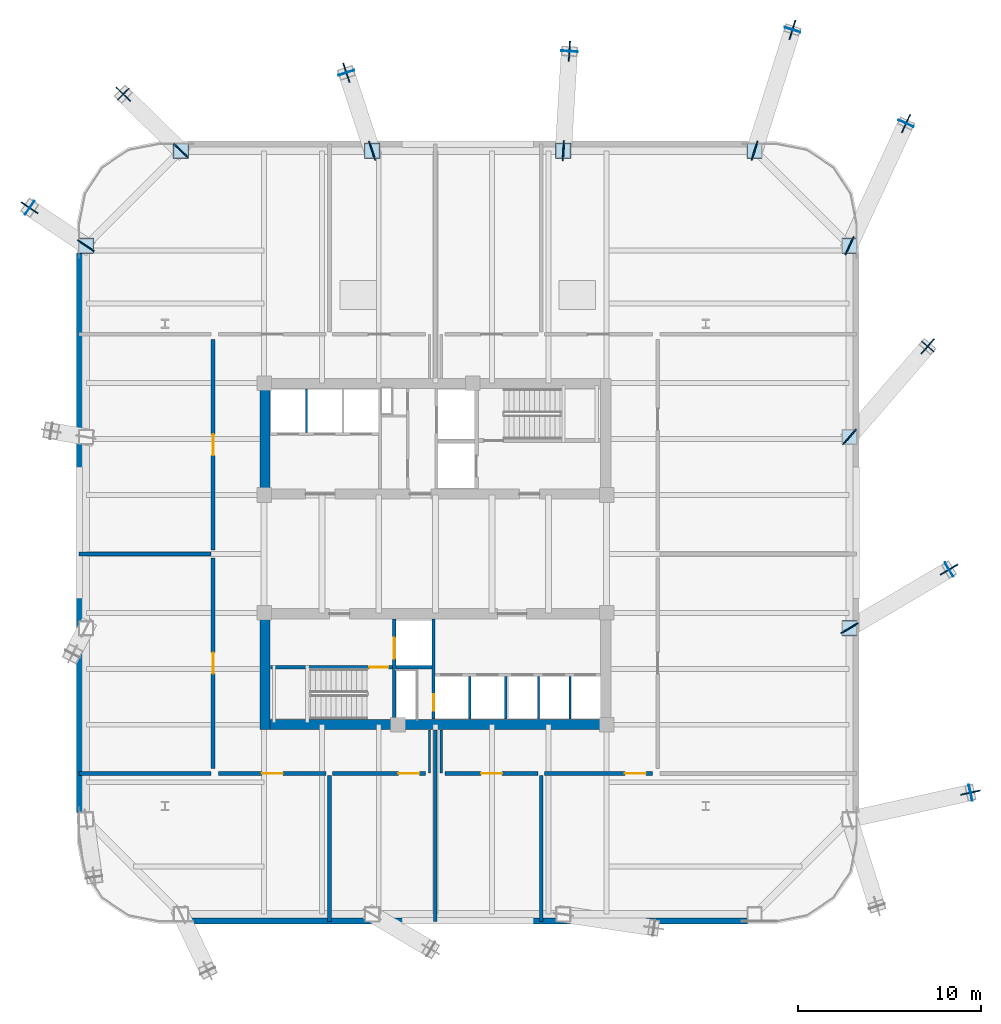
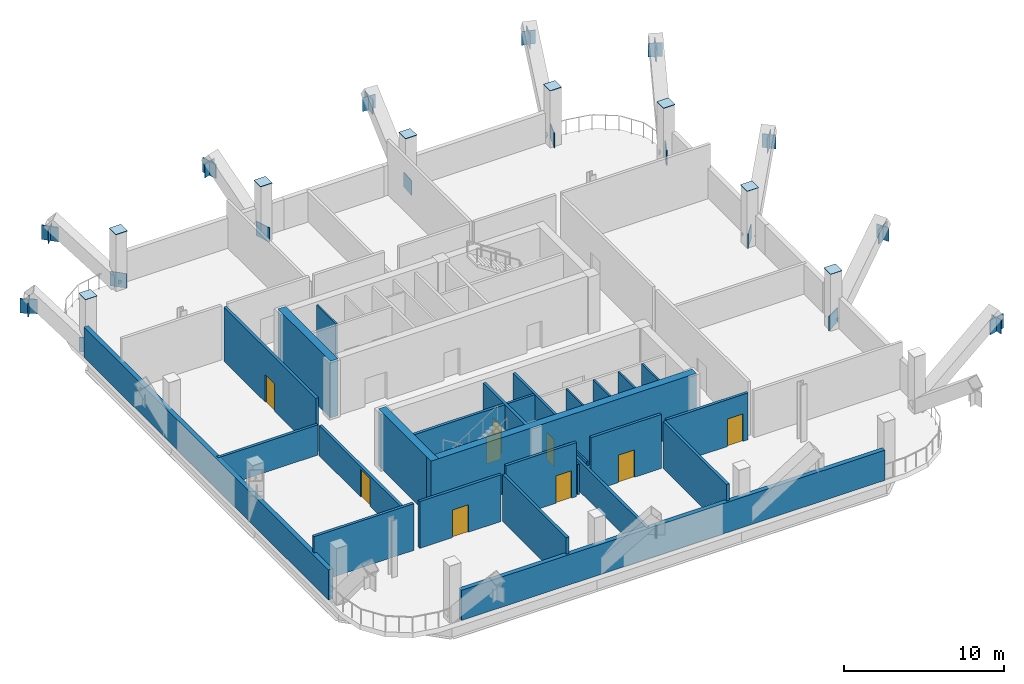
# One storey, part 3 of 8: 34 plates, 27 walls, 9 doors, 9 openings.
"""IFC4 building model written with IfcOpenShell, lengths in metres."""

import ifcopenshell
import ifcopenshell.guid

model = None  # the IFC model being written
_history = None  # IfcOwnerHistory: only IFC2X3 demands one
_inside = {}  # id of a spatial element -> (the spatial element, [elements in it])
_under = {}  # id of a project, library or spatial element -> (it, [spatial elements below it])
_declared = {}  # id of a project -> (the project, [libraries it declares])
_typed = {}  # id of a type object -> (the type object, [elements of that type])
_made_of = {}  # id of a material, layer set ... -> (it, [elements and type objects made of it])


def new_model(schema):
    """Start an empty IFC model of exactly this schema.

    Asked for "IFC4X3", IfcOpenShell would pick the latest addendum, in which some entities
    have other attributes; the version numbers below select the first issue.
    IFC2X3 requires an IfcOwnerHistory on every rooted entity: one is made here for all.
    """
    global model, _history
    if schema == "IFC4X3":
        model = ifcopenshell.file(schema_version=(4, 3, 0, 0))
    else:
        model = ifcopenshell.file(schema=schema)
    _inside.clear()
    _under.clear()
    _declared.clear()
    _typed.clear()
    _made_of.clear()
    _history = None
    if model.schema == "IFC2X3":
        org = make("IfcOrganization", Name="unknown")
        user = make(
            "IfcPersonAndOrganization",
            ThePerson=make("IfcPerson", FamilyName="unknown"),
            TheOrganization=org,
        )
        app = make(
            "IfcApplication",
            ApplicationDeveloper=org,
            Version="unknown",
            ApplicationFullName="unknown",
            ApplicationIdentifier="unknown",
        )
        _history = make(
            "IfcOwnerHistory",
            OwningUser=user,
            OwningApplication=app,
            ChangeAction="ADDED",
            CreationDate=0,
        )
    return model


def make(cls, **values):
    """One entity of the class cls with the attributes given. An attribute that is None is left unset."""
    return model.create_entity(
        cls, **{name: value for name, value in values.items() if value is not None}
    )


def rooted(cls, **values):
    """An entity with a GlobalId (a new one), such as an element, a storey or a relation."""
    return make(cls, GlobalId=ifcopenshell.guid.new(), OwnerHistory=_history, **values)


def si_unit(unit_type, name, prefix=None):
    """IfcSIUnit, for example si_unit("LENGTHUNIT", "METRE", prefix="MILLI")."""
    return make("IfcSIUnit", UnitType=unit_type, Prefix=prefix, Name=name)


def assignment(units):
    """IfcUnitAssignment: the units of a project."""
    return None if units is None else make("IfcUnitAssignment", Units=units)


def point(xyz):
    """IfcCartesianPoint."""
    return None if xyz is None else make("IfcCartesianPoint", Coordinates=xyz)


def direction(xyz):
    """IfcDirection."""
    return None if xyz is None else make("IfcDirection", DirectionRatios=xyz)


def frame(location, z_axis=None, x_axis=None):
    """IfcAxis2Placement3D, a coordinate frame: its origin and axes. An axis left out is left unset."""
    return make(
        "IfcAxis2Placement3D",
        Location=point(location),
        Axis=direction(z_axis),
        RefDirection=direction(x_axis),
    )


def frame_2d(location, x_axis=None):
    """IfcAxis2Placement2D, a coordinate frame in the plane: its origin and x axis."""
    return make(
        "IfcAxis2Placement2D", Location=point(location), RefDirection=direction(x_axis)
    )


def origin():
    """The frame at (0, 0, 0) with its axes left unset."""
    return frame((0.0, 0.0, 0.0))


def origin_2d():
    """The frame at (0, 0) in the plane with its x axis left unset."""
    return frame_2d((0.0, 0.0))


def place(relative_to, where):
    """IfcLocalPlacement: puts the frame where relative to a parent placement (None: the world)."""
    return make(
        "IfcLocalPlacement", PlacementRelTo=relative_to, RelativePlacement=where
    )


def context(
    kind, dimensions, precision=None, world=None, true_north=None, identifier=None
):
    """IfcGeometricRepresentationContext, for example the 3D "Model" context."""
    return make(
        "IfcGeometricRepresentationContext",
        ContextIdentifier=identifier,
        ContextType=kind,
        CoordinateSpaceDimension=dimensions,
        Precision=precision,
        WorldCoordinateSystem=world,
        TrueNorth=true_north,
    )


def subcontext(parent, identifier, kind, view, scale=None):
    """IfcGeometricRepresentationSubContext, for example "Body" below "Model"."""
    return make(
        "IfcGeometricRepresentationSubContext",
        ContextIdentifier=identifier,
        ContextType=kind,
        ParentContext=parent,
        TargetScale=scale,
        TargetView=view,
    )


def project(units=None, contexts=None):
    """IfcProject with its units and contexts."""
    return rooted(
        "IfcProject",
        Name="project",
        RepresentationContexts=contexts,
        UnitsInContext=assignment(units),
    )


def spatial(cls, under=None, at=None, **own):
    """A site, building, storey or space (cls), placed at a placement, below another one or the project."""
    s = rooted(cls, ObjectPlacement=at, **own)
    if under is not None:
        _under.setdefault(under.id(), (under, []))[1].append(s)
    return s


def profile(cls, at=None, kind="AREA", **sizes):
    """A parametric profile (cls). Its sizes go by their IFC names, for example OverallWidth=200.0."""
    return make(cls, ProfileType=kind, Position=at, **sizes)


def rectangle(**sizes):
    """IfcRectangleProfileDef."""
    return profile("IfcRectangleProfileDef", **sizes)


def extrude(swept, where, along, depth):
    """IfcExtrudedAreaSolid: the profile swept, set in the frame where, extruded along a direction by depth."""
    return make(
        "IfcExtrudedAreaSolid",
        SweptArea=swept,
        Position=where,
        ExtrudedDirection=direction(along),
        Depth=depth,
    )


def shape(context_of_items, identifier, shape_type, items):
    """IfcShapeRepresentation: the items that make up one representation, for example the "Body"."""
    return make(
        "IfcShapeRepresentation",
        ContextOfItems=context_of_items,
        RepresentationIdentifier=identifier,
        RepresentationType=shape_type,
        Items=items,
    )


def material(Name=None, Category=None):
    """IfcMaterial."""
    return make("IfcMaterial", Name=Name, Category=Category)


def layer(
    of_material, thickness, ventilated=None, Name=None, Category=None, Priority=None
):
    """IfcMaterialLayer: one layer of a wall or slab, of a material (None: an air gap)."""
    return make(
        "IfcMaterialLayer",
        Material=of_material,
        LayerThickness=thickness,
        IsVentilated=ventilated,
        Name=Name,
        Category=Category,
        Priority=Priority,
    )


def layer_set(layers, Name=None):
    """IfcMaterialLayerSet."""
    return make("IfcMaterialLayerSet", MaterialLayers=layers, LayerSetName=Name)


def made_of(thing, what):
    """Note that an element or type object is made of a material, layer set ...; save() writes the relation."""
    if what is not None:
        _made_of.setdefault(what.id(), (what, []))[1].append(thing)
    return thing


def type_object(cls, material=None, **own):
    """A type object (cls), such as IfcWallType, which elements share."""
    return made_of(rooted(cls, **own), material)


def element(
    cls,
    number,
    at=None,
    inside=None,
    cuts=None,
    type_object=None,
    material=None,
    context=None,
    identifier="Body",
    shape_type=None,
    held_by="IfcProductDefinitionShape",
    body=None,
    shapes=None,
    **own,
):
    """One element of the class cls, such as IfcWall. Its Tag is "e" and its number.

    at: its placement. inside: the storey or other place that contains it. cuts: it is an
    opening in that element (IfcRelVoidsElement). A single representation is given by context,
    identifier, shape_type and body (its items); several are given by shapes. held_by: the class
    of the entity that holds the representations. save() writes the other relations.
    """
    e = rooted(cls, Tag="e%d" % number, ObjectPlacement=at, **own)
    if body is not None:
        shapes = [shape(context, identifier, shape_type, body)]
    if shapes is not None:
        e.Representation = make(held_by, Representations=shapes)
    if inside is not None:
        _inside.setdefault(inside.id(), (inside, []))[1].append(e)
    if cuts is not None:
        rooted(
            "IfcRelVoidsElement", RelatingBuildingElement=cuts, RelatedOpeningElement=e
        )
    if type_object is not None:
        _typed.setdefault(type_object.id(), (type_object, []))[1].append(e)
    return made_of(e, material)


def fill(opening, filler):
    """IfcRelFillsElement: the door or window that sits in an opening."""
    return rooted(
        "IfcRelFillsElement",
        RelatingOpeningElement=opening,
        RelatedBuildingElement=filler,
    )


def aggregate(whole, parts):
    """IfcRelAggregates: a whole, such as a stair, and the parts it consists of."""
    return rooted("IfcRelAggregates", RelatingObject=whole, RelatedObjects=parts)


def save(model, path):
    """Write the relations noted so far, then the file.

    IfcRelAggregates (storeys below a building ...), IfcRelContainedInSpatialStructure (elements
    in a storey), IfcRelDefinesByType, IfcRelAssociatesMaterial and IfcRelDeclares: one each for
    every whole, place, type object, material and project.
    """
    for whole, parts in _under.values():
        aggregate(whole, parts)
    for where, things in _inside.values():
        rooted(
            "IfcRelContainedInSpatialStructure",
            RelatedElements=things,
            RelatingStructure=where,
        )
    for kind, things in _typed.values():
        rooted("IfcRelDefinesByType", RelatedObjects=things, RelatingType=kind)
    for what, things in _made_of.values():
        rooted("IfcRelAssociatesMaterial", RelatedObjects=things, RelatingMaterial=what)
    for by, libraries in _declared.values():
        rooted("IfcRelDeclares", RelatingContext=by, RelatedDefinitions=libraries)
    model.write(path)


model = new_model("IFC4")

# Units and contexts
model_context = context("Model", 3, precision=1e-05, world=origin(), true_north=direction((0.0, 1.0)))
body_context = subcontext(model_context, "Body", "Model", "MODEL_VIEW")
ifc_project = project(units=[si_unit("LENGTHUNIT", "METRE"), si_unit("AREAUNIT", "SQUARE_METRE"), si_unit("VOLUMEUNIT", "CUBIC_METRE"), si_unit("PLANEANGLEUNIT", "RADIAN"), si_unit("MASSUNIT", "GRAM", prefix="KILO")], contexts=[model_context])

# Site, building, storey
site_placement = place(None, origin())
site = spatial("IfcSite", under=ifc_project, at=site_placement, CompositionType="ELEMENT")
building_placement = place(site_placement, origin())
building = spatial("IfcBuilding", under=site, at=building_placement, Name="Qhalaya Broadcast Tower", CompositionType="ELEMENT")
storey_placement = place(building_placement, frame((0.0, 0.0, 65.10009765625)))
storey = spatial("IfcBuildingStorey", under=building, at=storey_placement, Name="L18", CompositionType="ELEMENT", Elevation=65.10009765625)

# Plates
ifc_material_1 = material(Name="Structural Steel ASTM A572 Grade 50", Category="steel")
ifc_layer_1 = layer(ifc_material_1, 0.054931640625, Name="Structural Steel ASTM A572 Grade 50")
ifc_layer_set_1 = layer_set([ifc_layer_1], Name="Structural Steel ASTM A572 Grade 50")
plate_type_1 = type_object("IfcPlateType", Name="Exoskeleton Diamond Node Gusset Plate NP-01", PredefinedType="USERDEFINED", material=ifc_layer_set_1)
for number, where, z_axis, x_axis, name in (
    (1, (29.29248046875, -12.46533203125, 2.769775390625), (0.0, 0.0, 1.0), (0.976409200803, 0.215928396898, 0.0), "L18 Strut Head Gusset Plate 05"),
    (2, (22.669921875, -3.46337890625, -0.000244140625), (0.0, 0.0, 1.0), (0.861655733907, 0.507493247468, 0.0), "L18 Strut Foot Gusset Plate 06"),
    (3, (28.116943359375, -0.255126953125, 2.769775390625), (0.0, 0.0, 1.0), (0.861655733907, 0.507493247468, 0.0), "L18 Strut Head Gusset Plate 06"),
    (4, (22.669921875, 7.00341796875, -0.000244140625), (0.0, 0.0, 1.0), (0.653156323064, 0.757223096347, 0.0), "L18 Strut Foot Gusset Plate 07"),
    (5, (26.941162109375, 11.955078125, 2.769775390625), (0.0, 0.0, 1.0), (0.653156323064, 0.757223096347, 0.0), "L18 Strut Head Gusset Plate 07"),
    (6, (22.669921875, 17.469970703125, -0.000244140625), (0.0, 0.0, 1.0), (0.419658039824, 0.907682284509, 0.0), "L18 Strut Foot Gusset Plate 08"),
    (7, (25.765380859375, 24.165283203125, 2.769775390625), (0.0, 0.0, 1.0), (0.419658039824, 0.907682284509, 0.0), "L18 Strut Head Gusset Plate 08"),
    (8, (17.469970703125, 22.669921875, -0.000244140625), (0.0, 0.0, 1.0), (0.299040792256, 0.954240328516, 0.0), "L18 Strut Foot Gusset Plate 09"),
    (9, (19.54541015625, 29.29248046875, 2.769775390625), (0.0, 0.0, 1.0), (0.299040792256, 0.954240328516, 0.0), "L18 Strut Head Gusset Plate 09"),
    (10, (7.00341796875, 22.669921875, -0.000244140625), (0.0, 0.0, 1.0), (0.060822068363, 0.998148624204, 0.0), "L18 Strut Foot Gusset Plate 10"),
    (11, (7.335205078125, 28.116943359375, 2.769775390625), (0.0, 0.0, 1.0), (0.060822068363, 0.998148624204, 0.0), "L18 Strut Head Gusset Plate 10"),
    (12, (-3.46337890625, 22.669921875, -0.000244140625), (0.0, 0.0, 1.0), (-0.31382674518, 0.949480265203, 0.0), "L18 Strut Foot Gusset Plate 11"),
    (13, (-4.875, 26.941162109375, 2.769775390625), (0.0, 0.0, 1.0), (-0.31382674518, 0.949480265203, 0.0), "L18 Strut Head Gusset Plate 11"),
    (14, (-13.929931640625, 22.669921875, -0.000244140625), (0.0, 0.0, 1.0), (-0.713825168314, 0.700323945814, 0.0), "L18 Strut Foot Gusset Plate 12"),
    (15, (-17.085205078125, 25.765380859375, 2.769775390625), (0.0, 0.0, 1.0), (-0.713825168314, 0.700323945814, 0.0), "L18 Strut Head Gusset Plate 12"),
    (16, (-19.1298828125, 17.469970703125, -0.000244140625), (0.0, 0.0, 1.0), (-0.829515497432, 0.558483696736, 0.0), "L18 Strut Foot Gusset Plate 13"),
    (17, (-22.212646484375, 19.54541015625, 2.769775390625), (0.0, 0.0, 1.0), (-0.829515497432, 0.558483696736, 0.0), "L18 Strut Head Gusset Plate 13"),
):
    element("IfcPlate", number, at=place(storey_placement, frame(where, z_axis=z_axis, x_axis=x_axis)), inside=storey, type_object=plate_type_1, Name=name, ObjectType="GUSSET_PLATE", PredefinedType="USERDEFINED", context=body_context, shape_type="SweptSolid", body=[
        extrude(rectangle(XDim=1.10009765625, YDim=0.06005859375, at=origin_2d()), origin(), (0.0, 0.0, 1.0), 1.10009765625),
    ])
ifc_layer_2 = layer(ifc_material_1, 0.4599609375, Name="Structural Steel ASTM A572 Grade 50")
ifc_layer_set_2 = layer_set([ifc_layer_2], Name="Structural Steel ASTM A572 Grade 50")
plate_type_2 = type_object("IfcPlateType", Name="Hollow Box Member End Cap Plate CP-01", PredefinedType="USERDEFINED", material=ifc_layer_set_2)
for number, where, z_axis, x_axis, name in (
    (18, (22.669921875, -3.46337890625, 4.35009765625), (0.0, 0.0, 1.0), (0.0, 1.0, 0.0), "L18 Hollow Box Column Top Cap Plate COL-NK06"),
    (19, (22.669921875, 7.00341796875, 4.35009765625), (0.0, 0.0, 1.0), (0.0, 1.0, 0.0), "L18 Hollow Box Column Top Cap Plate COL-NK07"),
    (20, (22.669921875, 17.469970703125, 4.35009765625), (0.0, 0.0, 1.0), (0.0, 1.0, 0.0), "L18 Hollow Box Column Top Cap Plate COL-NK08"),
    (21, (17.469970703125, 22.669921875, 4.35009765625), (0.0, 0.0, 1.0), (1.0, 0.0, 0.0), "L18 Hollow Box Column Top Cap Plate COL-NK09"),
    (22, (7.00341796875, 22.669921875, 4.35009765625), (0.0, 0.0, 1.0), (1.0, 0.0, 0.0), "L18 Hollow Box Column Top Cap Plate COL-NK10"),
    (23, (-3.46337890625, 22.669921875, 4.35009765625), (0.0, 0.0, 1.0), (1.0, 0.0, 0.0), "L18 Hollow Box Column Top Cap Plate COL-NK11"),
    (24, (-13.929931640625, 22.669921875, 4.35009765625), (0.0, 0.0, 1.0), (1.0, 0.0, 0.0), "L18 Hollow Box Column Top Cap Plate COL-NK12"),
    (25, (-19.1298828125, 17.469970703125, 4.35009765625), (0.0, 0.0, 1.0), (0.0, 1.0, 0.0), "L18 Hollow Box Column Top Cap Plate COL-NK13"),
):
    element("IfcPlate", number, at=place(storey_placement, frame(where, z_axis=z_axis, x_axis=x_axis)), inside=storey, type_object=plate_type_2, Name=name, ObjectType="COVER_PLATE", PredefinedType="USERDEFINED", context=body_context, shape_type="SweptSolid", body=[
        extrude(rectangle(XDim=0.840087890625, YDim=0.840087890625, at=origin_2d()), origin(), (0.0, 0.0, 1.0), 0.031982421875),
    ])
ifc_layer_3 = layer(ifc_material_1, 0.044921875, Name="Structural Steel ASTM A572 Grade 50")
ifc_layer_set_3 = layer_set([ifc_layer_3], Name="Structural Steel ASTM A572 Grade 50")
plate_type_3 = type_object("IfcPlateType", Name="Transfer Girder Web Stiffener Plate WS-01", PredefinedType="USERDEFINED", material=ifc_layer_set_3)
for number, where, z_axis, x_axis, name in (
    (26, (29.29248046875, -12.46533203125, 2.794921875), (0.0, 0.0, 1.0), (-0.215928396898, 0.976409200803, 0.0), "L18 Strut Head Cross Diaphragm Plate 05"),
    (27, (28.116943359375, -0.255126953125, 2.794921875), (0.0, 0.0, 1.0), (-0.507493247468, 0.861655733907, 0.0), "L18 Strut Head Cross Diaphragm Plate 06"),
    (28, (26.941162109375, 11.955078125, 2.794921875), (0.0, 0.0, 1.0), (-0.757223096347, 0.653156323064, 0.0), "L18 Strut Head Cross Diaphragm Plate 07"),
    (29, (25.765380859375, 24.165283203125, 2.794921875), (0.0, 0.0, 1.0), (-0.907682284509, 0.419658039824, 0.0), "L18 Strut Head Cross Diaphragm Plate 08"),
    (30, (19.54541015625, 29.29248046875, 2.794921875), (0.0, 0.0, 1.0), (-0.954240328516, 0.299040792256, 0.0), "L18 Strut Head Cross Diaphragm Plate 09"),
    (31, (7.335205078125, 28.116943359375, 2.794921875), (0.0, 0.0, 1.0), (-0.998148624204, 0.060822068363, 0.0), "L18 Strut Head Cross Diaphragm Plate 10"),
    (32, (-4.875, 26.941162109375, 2.794921875), (0.0, 0.0, 1.0), (-0.949480265203, -0.31382674518, 0.0), "L18 Strut Head Cross Diaphragm Plate 11"),
    (33, (-17.085205078125, 25.765380859375, 2.794921875), (0.0, 0.0, 1.0), (-0.700323945814, -0.713825168314, 0.0), "L18 Strut Head Cross Diaphragm Plate 12"),
    (34, (-22.212646484375, 19.54541015625, 2.794921875), (0.0, 0.0, 1.0), (-0.558483696736, -0.829515497432, 0.0), "L18 Strut Head Cross Diaphragm Plate 13"),
):
    element("IfcPlate", number, at=place(storey_placement, frame(where, z_axis=z_axis, x_axis=x_axis)), inside=storey, type_object=plate_type_3, Name=name, ObjectType="STIFFENER_PLATE", PredefinedType="USERDEFINED", context=body_context, shape_type="SweptSolid", body=[
        extrude(rectangle(XDim=0.89990234375, YDim=0.044921875, at=origin_2d()), origin(), (0.0, 0.0, 1.0), 1.050048828125),
    ])

# Wall
ifc_material_2 = material(Name="Gypsum Acoustic Partition")
ifc_layer_4 = layer(ifc_material_2, 0.199951171875, Name="Gypsum Acoustic Partition")
ifc_layer_set_4 = layer_set([ifc_layer_4], Name="Gypsum Acoustic Partition")
wall_type_1 = type_object("IfcWallType", Name="Firefighting Lobby & Stair Enclosure Wall 200", PredefinedType="PARTITIONING", material=ifc_layer_set_4)
wall_1_placement = place(storey_placement, frame((0.0, -19.510009765625, 0.0), z_axis=(0.0, 0.0, 1.0), x_axis=(0.0, 1.0, 0.0)))
element("IfcWall", 35, at=wall_1_placement, inside=storey, type_object=wall_type_1, Name="L18 Partition Wall W-OBS", PredefinedType="PARTITIONING", context=body_context, shape_type="SweptSolid", body=[
    extrude(rectangle(XDim=10.469970703125, YDim=0.199951171875, at=frame_2d((5.23486328125, 0.0))), origin(), (0.0, 0.0, 1.0), 2.309814453125),
])

# Wall, opening, door
wall_2_placement = place(storey_placement, frame((-11.8701171875, -11.419921875, 0.0), z_axis=(0.0, 0.0, 1.0), x_axis=(1.0, 0.0, 0.0)))
wall_2 = element("IfcWall", 36, at=wall_2_placement, inside=storey, type_object=wall_type_1, Name="L18 Partition Wall W-PCS0", PredefinedType="PARTITIONING", context=body_context, shape_type="SweptSolid", body=[
    extrude(rectangle(XDim=5.89013671875, YDim=0.199951171875, at=frame_2d((2.945068359375, 0.0))), origin(), (0.0, 0.0, 1.0), 3.573974609375),
])
opening_1_placement = place(wall_2_placement, frame((2.3701171875, 0.0, 0.0)))
opening_1 = element("IfcOpeningElement", 37, at=opening_1_placement, cuts=wall_2, Name="Opening D05", PredefinedType="OPENING", context=body_context, shape_type="SweptSolid", body=[
    extrude(rectangle(XDim=1.14990234375, YDim=2.10009765625, at=frame_2d((0.574951171875, 1.050048828125))), frame((0.0, 0.112060546875, 0.0), z_axis=(0.0, -1.0, 0.0), x_axis=(1.0, 0.0, 0.0)), (0.0, 0.0, 1.0), 0.223876953125),
])
ifc_material_3 = material(Name="Fire-Rated Steel Door", Category="steel")
door_type_1 = type_object("IfcDoorType", Name="Refuge & Plant Room Fire Door D05", OperationType="NOTDEFINED", PredefinedType="DOOR", material=ifc_material_3)
door_1_placement = place(opening_1_placement, origin())
door_1 = element("IfcDoor", 38, at=door_1_placement, inside=storey, type_object=door_type_1, Name="L18 Door D-PCS0", OperationType="SINGLE_SWING_RIGHT", OverallHeight=2.10009765625, OverallWidth=1.14990234375, PredefinedType="DOOR", context=body_context, shape_type="SweptSolid", body=[
    extrude(rectangle(XDim=1.14990234375, YDim=2.10009765625, at=frame_2d((0.574951171875, 1.050048828125))), frame((0.0, 0.02490234375, 0.0), z_axis=(0.0, -1.0, 0.0), x_axis=(1.0, 0.0, 0.0)), (0.0, 0.0, 1.0), 0.050048828125),
])
fill(opening_1, door_1)

# Wall
wall_3_placement = place(storey_placement, frame((-5.800048828125, -19.510009765625, 0.0), z_axis=(0.0, 0.0, 1.0), x_axis=(0.0, 1.0, 0.0)))
element("IfcWall", 39, at=wall_3_placement, inside=storey, type_object=wall_type_1, Name="L18 Partition Wall W-PDS1", PredefinedType="PARTITIONING", context=body_context, shape_type="SweptSolid", body=[
    extrude(rectangle(XDim=7.969970703125, YDim=0.199951171875, at=frame_2d((3.98486328125, 0.0))), origin(), (0.0, 0.0, 1.0), 3.573974609375),
])

# Wall, opening, door
wall_4_placement = place(storey_placement, frame((-5.6201171875, -11.419921875, 0.0), z_axis=(0.0, 0.0, 1.0), x_axis=(1.0, 0.0, 0.0)))
wall_4 = element("IfcWall", 40, at=wall_4_placement, inside=storey, type_object=wall_type_1, Name="L18 Partition Wall W-PCS1", PredefinedType="PARTITIONING", context=body_context, shape_type="SweptSolid", body=[
    extrude(rectangle(XDim=5.090087890625, YDim=0.199951171875, at=frame_2d((2.544921875, 0.0))), origin(), (0.0, 0.0, 1.0), 4.1298828125),
])
opening_2_placement = place(wall_4_placement, frame((3.590087890625, 0.0, 0.0)))
opening_2 = element("IfcOpeningElement", 41, at=opening_2_placement, cuts=wall_4, Name="Opening D05", PredefinedType="OPENING", context=body_context, shape_type="SweptSolid", body=[
    extrude(rectangle(XDim=1.14990234375, YDim=2.10009765625, at=frame_2d((0.574951171875, 1.050048828125))), frame((0.0, 0.112060546875, 0.0), z_axis=(0.0, -1.0, 0.0), x_axis=(1.0, 0.0, 0.0)), (0.0, 0.0, 1.0), 0.223876953125),
])
door_2_placement = place(opening_2_placement, origin())
door_2 = element("IfcDoor", 42, at=door_2_placement, inside=storey, type_object=door_type_1, Name="L18 Door D-PCS1", OperationType="SINGLE_SWING_RIGHT", OverallHeight=2.10009765625, OverallWidth=1.14990234375, PredefinedType="DOOR", context=body_context, shape_type="SweptSolid", body=[
    extrude(rectangle(XDim=1.14990234375, YDim=2.10009765625, at=frame_2d((0.574951171875, 1.050048828125))), frame((0.0, 0.02490234375, 0.0), z_axis=(0.0, -1.0, 0.0), x_axis=(1.0, 0.0, 0.0)), (0.0, 0.0, 1.0), 0.050048828125),
])
fill(opening_2, door_2)

wall_5_placement = place(storey_placement, frame((0.530029296875, -11.419921875, 0.0), z_axis=(0.0, 0.0, 1.0), x_axis=(1.0, 0.0, 0.0)))
wall_5 = element("IfcWall", 43, at=wall_5_placement, inside=storey, type_object=wall_type_1, Name="L18 Partition Wall W-PCS2", PredefinedType="PARTITIONING", context=body_context, shape_type="SweptSolid", body=[
    extrude(rectangle(XDim=5.090087890625, YDim=0.199951171875, at=frame_2d((2.544921875, 0.0))), origin(), (0.0, 0.0, 1.0), 4.1298828125),
])
opening_3_placement = place(wall_5_placement, frame((1.969970703125, 0.0, 0.0)))
opening_3 = element("IfcOpeningElement", 44, at=opening_3_placement, cuts=wall_5, Name="Opening D05", PredefinedType="OPENING", context=body_context, shape_type="SweptSolid", body=[
    extrude(rectangle(XDim=1.14990234375, YDim=2.10009765625, at=frame_2d((0.574951171875, 1.050048828125))), frame((0.0, 0.112060546875, 0.0), z_axis=(0.0, -1.0, 0.0), x_axis=(1.0, 0.0, 0.0)), (0.0, 0.0, 1.0), 0.223876953125),
])
door_3_placement = place(opening_3_placement, origin())
door_3 = element("IfcDoor", 45, at=door_3_placement, inside=storey, type_object=door_type_1, Name="L18 Door D-PCS2", OperationType="SINGLE_SWING_RIGHT", OverallHeight=2.10009765625, OverallWidth=1.14990234375, PredefinedType="DOOR", context=body_context, shape_type="SweptSolid", body=[
    extrude(rectangle(XDim=1.14990234375, YDim=2.10009765625, at=frame_2d((0.574951171875, 1.050048828125))), frame((0.0, 0.02490234375, 0.0), z_axis=(0.0, -1.0, 0.0), x_axis=(1.0, 0.0, 0.0)), (0.0, 0.0, 1.0), 0.050048828125),
])
fill(opening_3, door_3)

# Wall
wall_6_placement = place(storey_placement, frame((5.800048828125, -19.510009765625, 0.0), z_axis=(0.0, 0.0, 1.0), x_axis=(0.0, 1.0, 0.0)))
element("IfcWall", 46, at=wall_6_placement, inside=storey, type_object=wall_type_1, Name="L18 Partition Wall W-PDS3", PredefinedType="PARTITIONING", context=body_context, shape_type="SweptSolid", body=[
    extrude(rectangle(XDim=7.969970703125, YDim=0.199951171875, at=frame_2d((3.98486328125, 0.0))), origin(), (0.0, 0.0, 1.0), 3.573974609375),
])

# Wall, opening, door
wall_7_placement = place(storey_placement, frame((5.97998046875, -11.419921875, 0.0), z_axis=(0.0, 0.0, 1.0), x_axis=(1.0, 0.0, 0.0)))
wall_7 = element("IfcWall", 47, at=wall_7_placement, inside=storey, type_object=wall_type_1, Name="L18 Partition Wall W-PCS3", PredefinedType="PARTITIONING", context=body_context, shape_type="SweptSolid", body=[
    extrude(rectangle(XDim=5.89013671875, YDim=0.199951171875, at=frame_2d((2.945068359375, 0.0))), origin(), (0.0, 0.0, 1.0), 3.573974609375),
])
opening_4_placement = place(wall_7_placement, frame((4.389892578125, 0.0, 0.0)))
opening_4 = element("IfcOpeningElement", 48, at=opening_4_placement, cuts=wall_7, Name="Opening D05", PredefinedType="OPENING", context=body_context, shape_type="SweptSolid", body=[
    extrude(rectangle(XDim=1.14990234375, YDim=2.10009765625, at=frame_2d((0.574951171875, 1.050048828125))), frame((0.0, 0.112060546875, 0.0), z_axis=(0.0, -1.0, 0.0), x_axis=(1.0, 0.0, 0.0)), (0.0, 0.0, 1.0), 0.223876953125),
])
door_4_placement = place(opening_4_placement, origin())
door_4 = element("IfcDoor", 49, at=door_4_placement, inside=storey, type_object=door_type_1, Name="L18 Door D-PCS3", OperationType="SINGLE_SWING_RIGHT", OverallHeight=2.10009765625, OverallWidth=1.14990234375, PredefinedType="DOOR", context=body_context, shape_type="SweptSolid", body=[
    extrude(rectangle(XDim=1.14990234375, YDim=2.10009765625, at=frame_2d((0.574951171875, 1.050048828125))), frame((0.0, 0.02490234375, 0.0), z_axis=(0.0, -1.0, 0.0), x_axis=(1.0, 0.0, 0.0)), (0.0, 0.0, 1.0), 0.050048828125),
])
fill(opening_4, door_4)

# Walls
wall_8_placement = place(storey_placement, frame((-19.510009765625, -11.419921875, 0.0), z_axis=(0.0, 0.0, 1.0), x_axis=(1.0, 0.0, 0.0)))
element("IfcWall", 50, at=wall_8_placement, inside=storey, type_object=wall_type_1, Name="L18 Partition Wall W-PBSW", PredefinedType="PARTITIONING", context=body_context, shape_type="SweptSolid", body=[
    extrude(rectangle(XDim=7.219970703125, YDim=0.199951171875, at=frame_2d((3.60986328125, 0.0))), origin(), (0.0, 0.0, 1.0), 3.573974609375),
])
wall_9_placement = place(storey_placement, frame((-19.510009765625, 0.60009765625, 0.0), z_axis=(0.0, 0.0, 1.0), x_axis=(1.0, 0.0, 0.0)))
element("IfcWall", 51, at=wall_9_placement, inside=storey, type_object=wall_type_1, Name="L18 Partition Wall W-PDW1", PredefinedType="PARTITIONING", context=body_context, shape_type="SweptSolid", body=[
    extrude(rectangle(XDim=7.219970703125, YDim=0.199951171875, at=frame_2d((3.60986328125, 0.0))), origin(), (0.0, 0.0, 1.0), 2.309814453125),
])

# Wall, opening, door
wall_10_placement = place(storey_placement, frame((-12.169921875, -11.139892578125, 0.0), z_axis=(0.0, 0.0, 1.0), x_axis=(0.0, 1.0, 0.0)))
wall_10 = element("IfcWall", 52, at=wall_10_placement, inside=storey, type_object=wall_type_1, Name="L18 Partition Wall W-PCW1", PredefinedType="PARTITIONING", context=body_context, shape_type="SweptSolid", body=[
    extrude(rectangle(XDim=11.52978515625, YDim=0.199951171875, at=frame_2d((5.764892578125, 0.0))), origin(), (0.0, 0.0, 1.0), 2.309814453125),
])
opening_5_placement = place(wall_10_placement, frame((5.18994140625, 0.0, 0.0)))
opening_5 = element("IfcOpeningElement", 53, at=opening_5_placement, cuts=wall_10, Name="Opening D05", PredefinedType="OPENING", context=body_context, shape_type="SweptSolid", body=[
    extrude(rectangle(XDim=1.14990234375, YDim=2.10009765625, at=frame_2d((0.574951171875, 1.050048828125))), frame((0.0, 0.112060546875, 0.0), z_axis=(0.0, -1.0, 0.0), x_axis=(1.0, 0.0, 0.0)), (0.0, 0.0, 1.0), 0.223876953125),
])
door_5_placement = place(opening_5_placement, origin())
door_5 = element("IfcDoor", 54, at=door_5_placement, inside=storey, type_object=door_type_1, Name="L18 Door D-PCW1", OperationType="SINGLE_SWING_LEFT", OverallHeight=2.10009765625, OverallWidth=1.14990234375, PredefinedType="DOOR", context=body_context, shape_type="SweptSolid", body=[
    extrude(rectangle(XDim=1.14990234375, YDim=2.10009765625, at=frame_2d((0.574951171875, 1.050048828125))), frame((0.0, 0.02490234375, 0.0), z_axis=(0.0, -1.0, 0.0), x_axis=(1.0, 0.0, 0.0)), (0.0, 0.0, 1.0), 0.050048828125),
])
fill(opening_5, door_5)

wall_11_placement = place(storey_placement, frame((-12.169921875, 0.81005859375, 0.0), z_axis=(0.0, 0.0, 1.0), x_axis=(0.0, 1.0, 0.0)))
wall_11 = element("IfcWall", 55, at=wall_11_placement, inside=storey, type_object=wall_type_1, Name="L18 Partition Wall W-PCW2", PredefinedType="PARTITIONING", context=body_context, shape_type="SweptSolid", body=[
    extrude(rectangle(XDim=11.530029296875, YDim=0.199951171875, at=frame_2d((5.76513671875, 0.0))), origin(), (0.0, 0.0, 1.0), 4.1298828125),
])
opening_6_placement = place(wall_11_placement, frame((5.18994140625, 0.0, 0.0)))
opening_6 = element("IfcOpeningElement", 56, at=opening_6_placement, cuts=wall_11, Name="Opening D05", PredefinedType="OPENING", context=body_context, shape_type="SweptSolid", body=[
    extrude(rectangle(XDim=1.14990234375, YDim=2.10009765625, at=frame_2d((0.574951171875, 1.050048828125))), frame((0.0, 0.112060546875, 0.0), z_axis=(0.0, -1.0, 0.0), x_axis=(1.0, 0.0, 0.0)), (0.0, 0.0, 1.0), 0.223876953125),
])
door_6_placement = place(opening_6_placement, origin())
door_6 = element("IfcDoor", 57, at=door_6_placement, inside=storey, type_object=door_type_1, Name="L18 Door D-PCW2", OperationType="SINGLE_SWING_RIGHT", OverallHeight=2.10009765625, OverallWidth=1.14990234375, PredefinedType="DOOR", context=body_context, shape_type="SweptSolid", body=[
    extrude(rectangle(XDim=1.14990234375, YDim=2.10009765625, at=frame_2d((0.574951171875, 1.050048828125))), frame((0.0, 0.02490234375, 0.0), z_axis=(0.0, -1.0, 0.0), x_axis=(1.0, 0.0, 0.0)), (0.0, 0.0, 1.0), 0.050048828125),
])
fill(opening_6, door_6)

ifc_material_4 = material(Name="Concrete C50/60", Category="concrete")
ifc_layer_5 = layer(ifc_material_4, 0.199951171875, Name="Concrete C50/60")
ifc_layer_set_5 = layer_set([ifc_layer_5], Name="Concrete C50/60")
wall_type_2 = type_object("IfcWallType", Name="Load-Bearing Stair Shaft Wall 200", PredefinedType="SHEAR", material=ifc_layer_set_5)
wall_12_placement = place(storey_placement, frame((-9.030029296875, -5.60498046875, 0.0), z_axis=(0.0, 0.0, 1.0), x_axis=(1.0, 0.0, 0.0)))
wall_12 = element("IfcWall", 58, at=wall_12_placement, inside=storey, type_object=wall_type_2, Name="L18 Stair Core Shear Wall SCW-ST2", PredefinedType="SHEAR", context=body_context, shape_type="SweptSolid", body=[
    extrude(rectangle(XDim=6.669921875, YDim=0.199951171875, at=frame_2d((3.3349609375, 0.0))), origin(), (0.0, 0.0, 1.0), 4.1298828125),
])
opening_7_placement = place(wall_12_placement, frame((5.39990234375, 0.0, 0.0)))
opening_7 = element("IfcOpeningElement", 59, at=opening_7_placement, cuts=wall_12, Name="Opening D03", PredefinedType="OPENING", context=body_context, shape_type="SweptSolid", body=[
    extrude(rectangle(XDim=1.050048828125, YDim=2.080078125, at=frame_2d((0.52490234375, 1.0400390625))), frame((0.0, 0.112060546875, 0.0), z_axis=(0.0, -1.0, 0.0), x_axis=(1.0, 0.0, 0.0)), (0.0, 0.0, 1.0), 0.223876953125),
])
door_type_2 = type_object("IfcDoorType", Name="Core Stair Protected Fire Door D03", OperationType="NOTDEFINED", PredefinedType="DOOR", material=ifc_material_3)
door_7_placement = place(opening_7_placement, origin())
door_7 = element("IfcDoor", 60, at=door_7_placement, inside=storey, type_object=door_type_2, Name="L18 Door D-SST2", OperationType="SINGLE_SWING_RIGHT", OverallHeight=2.080078125, OverallWidth=1.050048828125, PredefinedType="DOOR", context=body_context, shape_type="SweptSolid", body=[
    extrude(rectangle(XDim=1.050048828125, YDim=2.080078125, at=frame_2d((0.52490234375, 1.0400390625))), frame((0.0, 0.02490234375, 0.0), z_axis=(0.0, -1.0, 0.0), x_axis=(1.0, 0.0, 0.0)), (0.0, 0.0, 1.0), 0.050048828125),
])
fill(opening_7, door_7)

wall_13_placement = place(storey_placement, frame((-2.25, -8.429931640625, 0.0), z_axis=(0.0, 0.0, 1.0), x_axis=(0.0, 1.0, 0.0)))
wall_13 = element("IfcWall", 61, at=wall_13_placement, inside=storey, type_object=wall_type_2, Name="L18 Stair Core Shear Wall SCW-FF", PredefinedType="SHEAR", context=body_context, shape_type="SweptSolid", body=[
    extrude(rectangle(XDim=5.4599609375, YDim=0.199951171875, at=frame_2d((2.72998046875, 0.0))), origin(), (0.0, 0.0, 1.0), 4.1298828125),
])
opening_8_placement = place(wall_13_placement, frame((3.300048828125, 0.0, 0.0)))
opening_8 = element("IfcOpeningElement", 62, at=opening_8_placement, cuts=wall_13, Name="Opening LD2", PredefinedType="OPENING", context=body_context, shape_type="SweptSolid", body=[
    extrude(rectangle(XDim=1.14990234375, YDim=2.080078125, at=frame_2d((0.574951171875, 1.0400390625))), frame((0.0, 0.112060546875, 0.0), z_axis=(0.0, -1.0, 0.0), x_axis=(1.0, 0.0, 0.0)), (0.0, 0.0, 1.0), 0.223876953125),
])
ifc_material_5 = material(Name="Brushed Stainless Steel Lift Door", Category="steel")
door_type_3 = type_object("IfcDoorType", Name="Firefighting Lift Sliding Landing Door LD2", OperationType="DOUBLE_DOOR_SLIDING", PredefinedType="DOOR", material=ifc_material_5)
door_8_placement = place(opening_8_placement, origin())
door_8 = element("IfcDoor", 63, at=door_8_placement, inside=storey, type_object=door_type_3, Name="L18 Door LD-FF2", OperationType="DOUBLE_DOOR_SLIDING", OverallHeight=2.080078125, OverallWidth=1.14990234375, PredefinedType="DOOR", context=body_context, shape_type="SweptSolid", body=[
    extrude(rectangle(XDim=1.14990234375, YDim=2.080078125, at=frame_2d((0.574951171875, 1.0400390625))), frame((0.0, 0.02490234375, 0.0), z_axis=(0.0, -1.0, 0.0), x_axis=(1.0, 0.0, 0.0)), (0.0, 0.0, 1.0), 0.050048828125),
])
fill(opening_8, door_8)

# Walls
ifc_material_6 = material(Name="Concrete C60/75", Category="concrete")
ifc_layer_6 = layer(ifc_material_6, 0.550048828125, Name="Concrete C60/75")
ifc_layer_set_6 = layer_set([ifc_layer_6], Name="Concrete C60/75")
wall_type_3 = type_object("IfcWallType", Name="Lower Split-Core Shear Wall 550", PredefinedType="SHEAR", material=ifc_layer_set_6)
wall_14_placement = place(storey_placement, frame((-9.324951171875, 3.60009765625, 0.0), z_axis=(0.0, 0.0, 1.0), x_axis=(0.0, 1.0, 0.0)))
element("IfcWall", 64, at=wall_14_placement, inside=storey, type_object=wall_type_3, Name="L18 Split-Core Shear Wall CW-NW", PredefinedType="SHEAR", context=body_context, shape_type="SweptSolid", body=[
    extrude(rectangle(XDim=6.599853515625, YDim=0.550048828125, at=frame_2d((3.2998046875, 0.0))), origin(), (0.0, 0.0, 1.0), 4.349853515625),
])
wall_15_placement = place(storey_placement, frame((-9.60009765625, -8.72509765625, 0.0), z_axis=(0.0, 0.0, 1.0), x_axis=(1.0, 0.0, 0.0)))
element("IfcWall", 65, at=wall_15_placement, inside=storey, type_object=wall_type_3, Name="L18 Split-Core Shear Wall CW-SS", PredefinedType="SHEAR", context=body_context, shape_type="SweptSolid", body=[
    extrude(rectangle(XDim=19.2001953125, YDim=0.550048828125, at=frame_2d((9.60009765625, 0.0))), origin(), (0.0, 0.0, 1.0), 4.349853515625),
])
wall_16_placement = place(storey_placement, frame((-9.324951171875, -9.0, 0.0), z_axis=(0.0, 0.0, 1.0), x_axis=(0.0, 1.0, 0.0)))
element("IfcWall", 66, at=wall_16_placement, inside=storey, type_object=wall_type_3, Name="L18 Split-Core Shear Wall CW-SW", PredefinedType="SHEAR", context=body_context, shape_type="SweptSolid", body=[
    extrude(rectangle(XDim=6.60009765625, YDim=0.550048828125, at=frame_2d((3.300048828125, 0.0))), origin(), (0.0, 0.0, 1.0), 4.349853515625),
])
ifc_layer_7 = layer(ifc_material_2, 0.1201171875, Name="Gypsum Acoustic Partition")
ifc_layer_set_7 = layer_set([ifc_layer_7], Name="Gypsum Acoustic Partition")
wall_type_4 = type_object("IfcWallType", Name="Office, Booth & Sanitary Partition 120", PredefinedType="PARTITIONING", material=ifc_layer_set_7)
wall_17_placement = place(storey_placement, frame((-7.06005859375, 7.25, 0.0), z_axis=(0.0, 0.0, 1.0), x_axis=(0.0, 1.0, 0.0)))
element("IfcWall", 67, at=wall_17_placement, inside=storey, type_object=wall_type_4, Name="L18 Partition Wall NCW-PD1", PredefinedType="PARTITIONING", context=body_context, shape_type="SweptSolid", body=[
    extrude(rectangle(XDim=2.3798828125, YDim=0.1201171875, at=frame_2d((1.18994140625, 0.0))), origin(), (0.0, 0.0, 1.0), 4.1298828125),
])
for number, where, z_axis, x_axis, name in (
    (68, (1.8798828125, -8.429931640625, 0.0), (0.0, 0.0, 1.0), (0.0, 1.0, 0.0), "L18 Partition Wall SCW-MD4"),
    (69, (3.85009765625, -8.429931640625, 0.0), (0.0, 0.0, 1.0), (0.0, 1.0, 0.0), "L18 Partition Wall SCW-MD5"),
    (70, (5.639892578125, -8.429931640625, 0.0), (0.0, 0.0, 1.0), (0.0, 1.0, 0.0), "L18 Partition Wall SCW-HD6"),
    (71, (7.360107421875, -8.429931640625, 0.0), (0.0, 0.0, 1.0), (0.0, 1.0, 0.0), "L18 Partition Wall SCW-HD7"),
):
    element("IfcWall", number, at=place(storey_placement, frame(where, z_axis=z_axis, x_axis=x_axis)), inside=storey, type_object=wall_type_4, Name=name, PredefinedType="PARTITIONING", context=body_context, shape_type="SweptSolid", body=[
        extrude(rectangle(XDim=2.329833984375, YDim=0.1201171875, at=frame_2d((1.1650390625, 0.0))), origin(), (0.0, 0.0, 1.0), 4.1298828125),
    ])
for number, where, z_axis, x_axis, name in (
    (72, (-0.320068359375, -11.39990234375, 0.0), (0.0, 0.0, 1.0), (0.0, 1.0, 0.0), "L18 Partition Wall W-OBSCW"),
    (73, (0.320068359375, -11.39990234375, 0.0), (0.0, 0.0, 1.0), (0.0, 1.0, 0.0), "L18 Partition Wall W-OBSCE"),
):
    element("IfcWall", number, at=place(storey_placement, frame(where, z_axis=z_axis, x_axis=x_axis)), inside=storey, type_object=wall_type_4, Name=name, PredefinedType="PARTITIONING", context=body_context, shape_type="SweptSolid", body=[
        extrude(rectangle(XDim=2.35986328125, YDim=0.1201171875, at=frame_2d((1.179931640625, 0.0))), origin(), (0.0, 0.0, 1.0), 2.309814453125),
    ])
ifc_material_7 = material(Name="Precast Concrete C40/50", Category="concrete")
ifc_layer_8 = layer(ifc_material_7, 0.320068359375, Name="Precast Concrete C40/50")
ifc_layer_set_8 = layer_set([ifc_layer_8], Name="Precast Concrete C40/50")
wall_type_5 = type_object("IfcWallType", Name="Recessed Neck Insulated Exterior Wall 320", PredefinedType="SOLIDWALL", material=ifc_layer_set_8)
for number, where, z_axis, x_axis, name in (
    (74, (17.08203125, -19.489990234375, 0.0), (0.0, 0.0, 1.0), (-1.0, 0.0, 0.0), "L18 Exterior Facade Wall S"),
    (75, (-19.489990234375, -13.5419921875, 0.0), (0.0, 0.0, 1.0), (0.0, 1.0, 0.0), "L18 Exterior Facade Wall W"),
):
    element("IfcWall", number, at=place(storey_placement, frame(where, z_axis=z_axis, x_axis=x_axis)), inside=storey, type_object=wall_type_5, Name=name, PredefinedType="SOLIDWALL", context=body_context, shape_type="SweptSolid", body=[
        extrude(rectangle(XDim=30.6240234375, YDim=0.320068359375, at=frame_2d((15.31201171875, 0.0))), origin(), (0.0, 0.0, 1.0), 2.309814453125),
    ])

# Wall, opening, door
ifc_layer_9 = layer(ifc_material_2, 0.175048828125, Name="Gypsum Acoustic Partition")
ifc_layer_set_9 = layer_set([ifc_layer_9], Name="Gypsum Acoustic Partition")
wall_type_6 = type_object("IfcWallType", Name="Shaft & Riser Fire Partition 175", PredefinedType="PARTITIONING", material=ifc_layer_set_9)
wall_18_placement = place(storey_placement, frame((-0.10009765625, -8.429931640625, 0.0), z_axis=(0.0, 0.0, 1.0), x_axis=(0.0, 1.0, 0.0)))
wall_18 = element("IfcWall", 76, at=wall_18_placement, inside=storey, type_object=wall_type_6, Name="L18 Partition Wall SCW-FFE", PredefinedType="PARTITIONING", context=body_context, shape_type="SweptSolid", body=[
    extrude(rectangle(XDim=5.4599609375, YDim=0.175048828125, at=frame_2d((2.72998046875, 0.0))), origin(), (0.0, 0.0, 1.0), 4.1298828125),
])
opening_9_placement = place(wall_18_placement, frame((0.449951171875, 0.0, 0.0)))
opening_9 = element("IfcOpeningElement", 77, at=opening_9_placement, cuts=wall_18, Name="Opening D06", PredefinedType="OPENING", context=body_context, shape_type="SweptSolid", body=[
    extrude(rectangle(XDim=0.89990234375, YDim=2.050048828125, at=frame_2d((0.449951171875, 1.02490234375))), frame((0.0, 0.099609375, 0.0), z_axis=(0.0, -1.0, 0.0), x_axis=(1.0, 0.0, 0.0)), (0.0, 0.0, 1.0), 0.198974609375),
])
door_type_4 = type_object("IfcDoorType", Name="Riser & Electrical Shaft Access Door D06", OperationType="NOTDEFINED", PredefinedType="DOOR", material=ifc_material_3)
door_9_placement = place(opening_9_placement, origin())
door_9 = element("IfcDoor", 78, at=door_9_placement, inside=storey, type_object=door_type_4, Name="L18 Riser Shaft Access Door D-SRSR", OperationType="SINGLE_SWING_LEFT", OverallHeight=2.050048828125, OverallWidth=0.89990234375, PredefinedType="DOOR", context=body_context, shape_type="SweptSolid", body=[
    extrude(rectangle(XDim=0.89990234375, YDim=2.050048828125, at=frame_2d((0.449951171875, 1.02490234375))), frame((0.0, 0.02490234375, 0.0), z_axis=(0.0, -1.0, 0.0), x_axis=(1.0, 0.0, 0.0)), (0.0, 0.0, 1.0), 0.050048828125),
])
fill(opening_9, door_9)

# Wall
wall_19_placement = place(storey_placement, frame((-2.14990234375, -5.60009765625, 0.0), z_axis=(0.0, 0.0, 1.0), x_axis=(1.0, 0.0, 0.0)))
element("IfcWall", 79, at=wall_19_placement, inside=storey, type_object=wall_type_6, Name="L18 Partition Wall SCW-FFM", PredefinedType="PARTITIONING", context=body_context, shape_type="SweptSolid", body=[
    extrude(rectangle(XDim=1.969970703125, YDim=0.175048828125, at=frame_2d((0.98486328125, 0.0))), origin(), (0.0, 0.0, 1.0), 4.1298828125),
])

save(model, "model.ifc")
